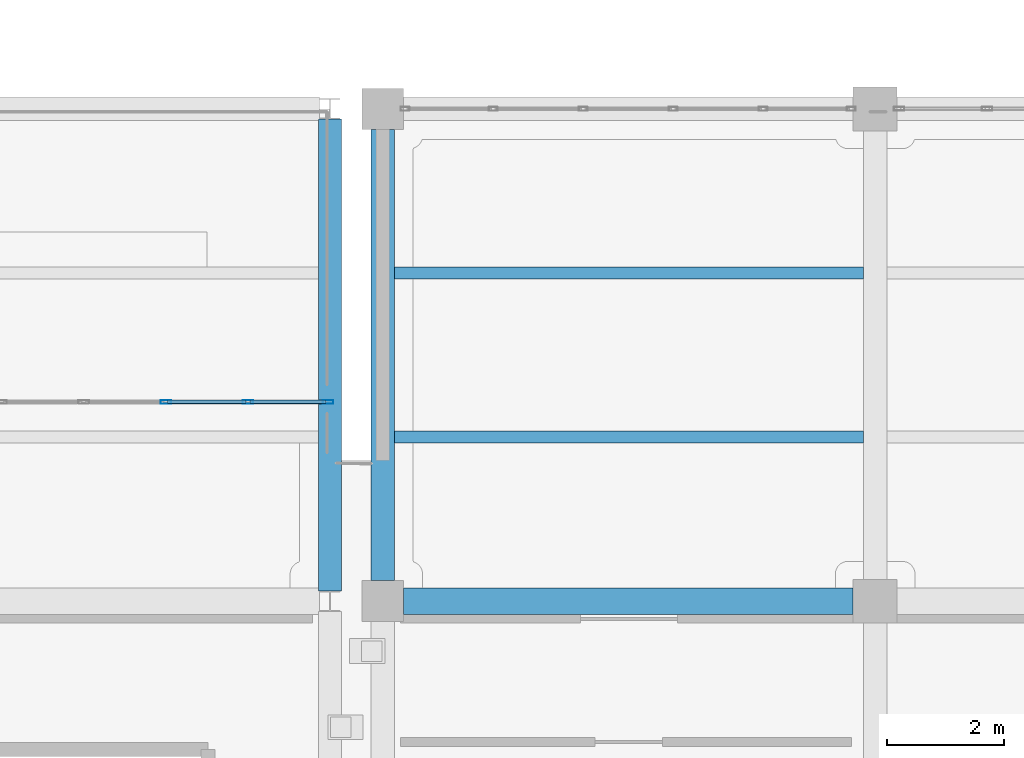
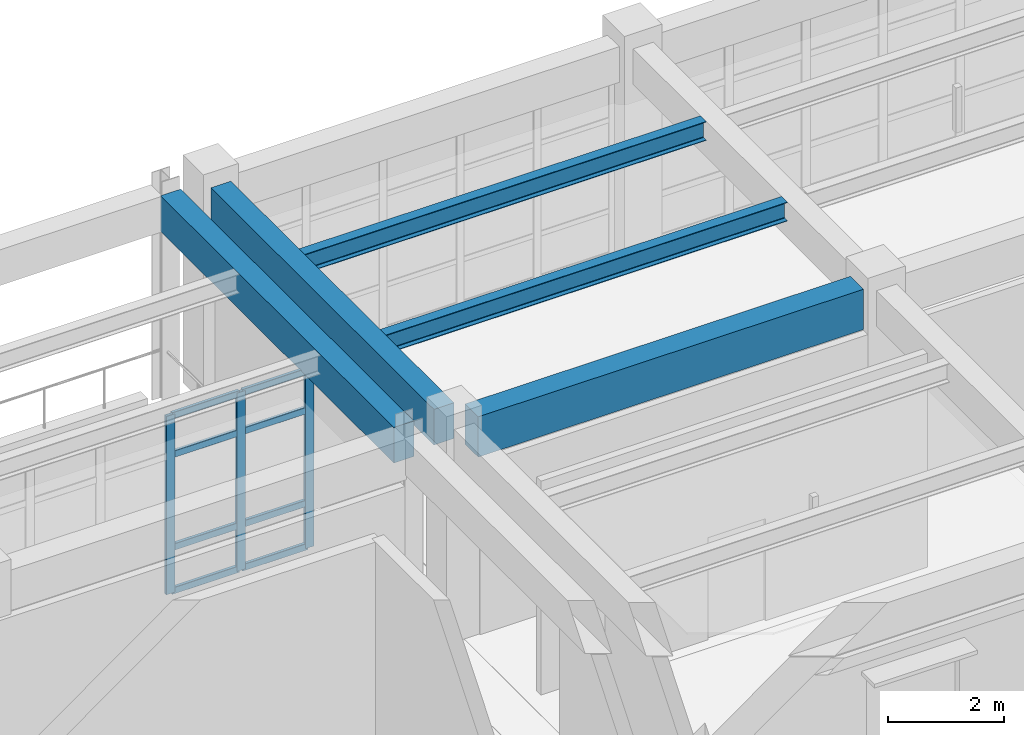
# One storey, part 15 of 98: 11 members, 5 beams, 1 element without a shape of its own.
"""IFC4 building model written with IfcOpenShell, lengths in metres."""

from ifc_helpers import new_model, si_unit, direction, frame, origin, origin_2d, place, context, subcontext, project, spatial, rectangle, hollow_rectangle, i_section, extrude, material, material_profile, profile_set, type_object, element, aggregate, save


model = new_model("IFC4")

# Units and contexts
model_context = context("Model", 3, precision=1e-05, world=origin(), true_north=direction((0.0, 1.0)))
body_context = subcontext(model_context, "Body", "Model", "MODEL_VIEW")
ifc_project = project(units=[si_unit("LENGTHUNIT", "METRE"), si_unit("AREAUNIT", "SQUARE_METRE"), si_unit("VOLUMEUNIT", "CUBIC_METRE"), si_unit("PLANEANGLEUNIT", "RADIAN"), si_unit("MASSUNIT", "GRAM", prefix="KILO")], contexts=[model_context])

# Site, building, storey
site_placement = place(None, origin())
site = spatial("IfcSite", under=ifc_project, at=site_placement, CompositionType="ELEMENT")
building_placement = place(site_placement, origin())
building = spatial("IfcBuilding", under=site, at=building_placement, Name="Canglan Escarpment Cableway Terminal", CompositionType="ELEMENT")
storey_placement = place(building_placement, frame((0.0, 0.0, 9.60009765625)))
storey = spatial("IfcBuildingStorey", under=building, at=storey_placement, Name="L02", CompositionType="ELEMENT", Elevation=9.60009765625)

# Beams
ifc_material_1 = material(Name="Concrete C40", Category="concrete")
ifc_material_profile_1 = material_profile(ifc_material_1, rectangle(XDim=0.39990234375, YDim=0.75, at=origin_2d()), Name="RC 400x750")
ifc_profile_set_1 = profile_set([ifc_material_profile_1], Name="Concrete C40")
beam_type_1 = type_object("IfcBeamType", Name="BM-RC400x750", PredefinedType="BEAM", material=ifc_profile_set_1)
beam_1_placement = place(storey_placement, frame((76.10009765625, 16.574951171875, 4.14501953125), z_axis=(0.0, 1.0, 0.0), x_axis=(-1.0, 0.0, 0.0)))
element("IfcBeam", 1, at=beam_1_placement, inside=storey, type_object=beam_type_1, Name="Primary transverse girder B-03", PredefinedType="BEAM", context=body_context, shape_type="SweptSolid", body=[
    extrude(rectangle(XDim=0.39990234375, YDim=0.75, at=origin_2d()), origin(), (0.0, 0.0, 1.0), 8.050048828125),
])
beam_2_placement = place(storey_placement, frame((77.0, 16.75, 4.10498046875), z_axis=(0.0, 1.0, 0.0), x_axis=(-1.0, 0.0, 0.0)))
element("IfcBeam", 2, at=beam_2_placement, inside=storey, type_object=beam_type_1, Name="Primary transverse girder B-03", PredefinedType="BEAM", context=body_context, shape_type="SweptSolid", body=[
    extrude(rectangle(XDim=0.39990234375, YDim=0.75, at=origin_2d()), origin(), (0.0, 0.0, 1.0), 7.699951171875),
])
ifc_material_profile_2 = material_profile(ifc_material_1, rectangle(XDim=0.449951171875, YDim=0.85009765625, at=origin_2d()), Name="RC 450x850")
ifc_profile_set_2 = profile_set([ifc_material_profile_2], Name="Concrete C40")
beam_type_2 = type_object("IfcBeamType", Name="BM-RC450x850", PredefinedType="BEAM", material=ifc_profile_set_2)
beam_3_placement = place(storey_placement, frame((77.35009765625, 16.39990234375, 4.054931640625), z_axis=(1.0, 0.0, 0.0), x_axis=(0.0, 1.0, 0.0)))
element("IfcBeam", 3, at=beam_3_placement, inside=storey, type_object=beam_type_2, Name="Primary structural girder B-02", PredefinedType="BEAM", context=body_context, shape_type="SweptSolid", body=[
    extrude(rectangle(XDim=0.449951171875, YDim=0.85009765625, at=origin_2d()), origin(), (0.0, 0.0, 1.0), 7.6748046875),
])

# Curtain wall, members
ifc_material_2 = material(Name="Anodized bronze aluminium and Low-E double glazing", Category="aluminium")
curtain_wall_type = type_object("IfcCurtainWallType", Name="CW-BAY-8400x3750", PredefinedType="NOTDEFINED", material=ifc_material_2)
curtain_wall_placement = place(storey_placement, origin())
curtain_wall = element("IfcCurtainWall", 4, at=curtain_wall_placement, inside=storey, type_object=curtain_wall_type, Name="Classical bay-between-piers glazed curtain wall CW-08", PredefinedType="NOTDEFINED")
ifc_material_3 = material(Name="Thermally broken anodized aluminium 6063-T6", Category="aluminium")
ifc_material_profile_3 = material_profile(ifc_material_3, hollow_rectangle(XDim=0.06494140625, YDim=0.179931640625, WallThickness=0.00390625, InnerFilletRadius=0.00390625, OuterFilletRadius=0.008056640625, at=origin_2d()), Name="ALU-MULL 65x180x4")
ifc_profile_set_3 = profile_set([ifc_material_profile_3], Name="Thermally broken anodized aluminium 6063-T6")
member_type_1 = type_object("IfcMemberType", Name="CWM-03", PredefinedType="MULLION", material=ifc_profile_set_3)
member_1_placement = place(storey_placement, frame((76.0673828125, 19.800048828125, 0.0), z_axis=(0.0, 0.0, 1.0), x_axis=(0.0, -1.0, 0.0)))
member_1 = element("IfcMember", 5, at=member_1_placement, type_object=member_type_1, Name="CW-08 mullion 1", PredefinedType="MULLION", context=body_context, shape_type="SweptSolid", body=[
    extrude(hollow_rectangle(XDim=0.06494140625, YDim=0.179931640625, WallThickness=0.00390625, InnerFilletRadius=0.00390625, OuterFilletRadius=0.008056640625, at=origin_2d()), origin(), (0.0, 0.0, 1.0), 3.7548828125),
])
member_2_placement = place(storey_placement, frame((74.699951171875, 19.800048828125, 0.0), z_axis=(0.0, 0.0, 1.0), x_axis=(0.0, -1.0, 0.0)))
member_2 = element("IfcMember", 6, at=member_2_placement, type_object=member_type_1, Name="CW-08 mullion 2", PredefinedType="MULLION", context=body_context, shape_type="SweptSolid", body=[
    extrude(hollow_rectangle(XDim=0.06494140625, YDim=0.179931640625, WallThickness=0.00390625, InnerFilletRadius=0.00390625, OuterFilletRadius=0.008056640625, at=origin_2d()), origin(), (0.0, 0.0, 1.0), 3.7548828125),
])
member_3_placement = place(storey_placement, frame((73.300048828125, 19.800048828125, 0.0), z_axis=(0.0, 0.0, 1.0), x_axis=(0.0, -1.0, 0.0)))
member_3 = element("IfcMember", 7, at=member_3_placement, type_object=member_type_1, Name="CW-08 mullion 3", PredefinedType="MULLION", context=body_context, shape_type="SweptSolid", body=[
    extrude(hollow_rectangle(XDim=0.06494140625, YDim=0.179931640625, WallThickness=0.00390625, InnerFilletRadius=0.00390625, OuterFilletRadius=0.008056640625, at=origin_2d()), origin(), (0.0, 0.0, 1.0), 3.7548828125),
])
ifc_material_profile_4 = material_profile(ifc_material_3, hollow_rectangle(XDim=0.06494140625, YDim=0.139892578125, WallThickness=0.00341796875, InnerFilletRadius=0.00341796875, OuterFilletRadius=0.007080078125, at=origin_2d()), Name="ALU-TRAN 65x140x3.5")
ifc_profile_set_4 = profile_set([ifc_material_profile_4], Name="Thermally broken anodized aluminium 6063-T6")
member_type_2 = type_object("IfcMemberType", Name="CWT-03", PredefinedType="USERDEFINED", material=ifc_profile_set_4)
member_4_placement = place(storey_placement, frame((76.034912109375, 19.800048828125, 0.032470703125), z_axis=(-1.0, 0.0, 0.0), x_axis=(0.0, -1.0, 0.0)))
member_4 = element("IfcMember", 8, at=member_4_placement, type_object=member_type_2, Name="CW-08 transom 1.1", ObjectType="TRANSOM", PredefinedType="USERDEFINED", context=body_context, shape_type="SweptSolid", body=[
    extrude(hollow_rectangle(XDim=0.06494140625, YDim=0.139892578125, WallThickness=0.00341796875, InnerFilletRadius=0.00341796875, OuterFilletRadius=0.007080078125, at=origin_2d()), origin(), (0.0, 0.0, 1.0), 1.302490234375),
])
member_5_placement = place(storey_placement, frame((76.034912109375, 19.800048828125, 0.949951171875), z_axis=(-1.0, 0.0, 0.0), x_axis=(0.0, -1.0, 0.0)))
member_5 = element("IfcMember", 9, at=member_5_placement, type_object=member_type_2, Name="CW-08 transom 1.2", ObjectType="TRANSOM", PredefinedType="USERDEFINED", context=body_context, shape_type="SweptSolid", body=[
    extrude(hollow_rectangle(XDim=0.06494140625, YDim=0.139892578125, WallThickness=0.00341796875, InnerFilletRadius=0.00341796875, OuterFilletRadius=0.007080078125, at=origin_2d()), origin(), (0.0, 0.0, 1.0), 1.302490234375),
])
member_6_placement = place(storey_placement, frame((76.034912109375, 19.800048828125, 2.90478515625), z_axis=(-1.0, 0.0, 0.0), x_axis=(0.0, -1.0, 0.0)))
member_6 = element("IfcMember", 10, at=member_6_placement, type_object=member_type_2, Name="CW-08 transom 1.3", ObjectType="TRANSOM", PredefinedType="USERDEFINED", context=body_context, shape_type="SweptSolid", body=[
    extrude(hollow_rectangle(XDim=0.06494140625, YDim=0.139892578125, WallThickness=0.00341796875, InnerFilletRadius=0.00341796875, OuterFilletRadius=0.007080078125, at=origin_2d()), origin(), (0.0, 0.0, 1.0), 1.302490234375),
])
member_7_placement = place(storey_placement, frame((76.034912109375, 19.800048828125, 3.722412109375), z_axis=(-1.0, 0.0, 0.0), x_axis=(0.0, -1.0, 0.0)))
member_7 = element("IfcMember", 11, at=member_7_placement, type_object=member_type_2, Name="CW-08 transom 1.4", ObjectType="TRANSOM", PredefinedType="USERDEFINED", context=body_context, shape_type="SweptSolid", body=[
    extrude(hollow_rectangle(XDim=0.06494140625, YDim=0.139892578125, WallThickness=0.00341796875, InnerFilletRadius=0.00341796875, OuterFilletRadius=0.007080078125, at=origin_2d()), origin(), (0.0, 0.0, 1.0), 1.302490234375),
])
member_8_placement = place(storey_placement, frame((74.66748046875, 19.800048828125, 0.032470703125), z_axis=(-1.0, 0.0, 0.0), x_axis=(0.0, -1.0, 0.0)))
member_8 = element("IfcMember", 12, at=member_8_placement, type_object=member_type_2, Name="CW-08 transom 2.1", ObjectType="TRANSOM", PredefinedType="USERDEFINED", context=body_context, shape_type="SweptSolid", body=[
    extrude(hollow_rectangle(XDim=0.06494140625, YDim=0.139892578125, WallThickness=0.00341796875, InnerFilletRadius=0.00341796875, OuterFilletRadius=0.007080078125, at=origin_2d()), origin(), (0.0, 0.0, 1.0), 1.3349609375),
])
member_9_placement = place(storey_placement, frame((74.66748046875, 19.800048828125, 0.949951171875), z_axis=(-1.0, 0.0, 0.0), x_axis=(0.0, -1.0, 0.0)))
member_9 = element("IfcMember", 13, at=member_9_placement, type_object=member_type_2, Name="CW-08 transom 2.2", ObjectType="TRANSOM", PredefinedType="USERDEFINED", context=body_context, shape_type="SweptSolid", body=[
    extrude(hollow_rectangle(XDim=0.06494140625, YDim=0.139892578125, WallThickness=0.00341796875, InnerFilletRadius=0.00341796875, OuterFilletRadius=0.007080078125, at=origin_2d()), origin(), (0.0, 0.0, 1.0), 1.3349609375),
])
member_10_placement = place(storey_placement, frame((74.66748046875, 19.800048828125, 2.90478515625), z_axis=(-1.0, 0.0, 0.0), x_axis=(0.0, -1.0, 0.0)))
member_10 = element("IfcMember", 14, at=member_10_placement, type_object=member_type_2, Name="CW-08 transom 2.3", ObjectType="TRANSOM", PredefinedType="USERDEFINED", context=body_context, shape_type="SweptSolid", body=[
    extrude(hollow_rectangle(XDim=0.06494140625, YDim=0.139892578125, WallThickness=0.00341796875, InnerFilletRadius=0.00341796875, OuterFilletRadius=0.007080078125, at=origin_2d()), origin(), (0.0, 0.0, 1.0), 1.3349609375),
])
member_11_placement = place(storey_placement, frame((74.66748046875, 19.800048828125, 3.722412109375), z_axis=(-1.0, 0.0, 0.0), x_axis=(0.0, -1.0, 0.0)))
member_11 = element("IfcMember", 15, at=member_11_placement, type_object=member_type_2, Name="CW-08 transom 2.4", ObjectType="TRANSOM", PredefinedType="USERDEFINED", context=body_context, shape_type="SweptSolid", body=[
    extrude(hollow_rectangle(XDim=0.06494140625, YDim=0.139892578125, WallThickness=0.00341796875, InnerFilletRadius=0.00341796875, OuterFilletRadius=0.007080078125, at=origin_2d()), origin(), (0.0, 0.0, 1.0), 1.3349609375),
])
aggregate(curtain_wall, [member_1, member_2, member_3, member_4, member_5, member_6, member_7, member_8, member_9, member_10, member_11])

# Beams
ifc_material_4 = material(Name="Steel Q355B", Category="steel")
ifc_material_profile_5 = material_profile(ifc_material_4, i_section(OverallWidth=0.199951171875, OverallDepth=0.39990234375, WebThickness=0.008056640625, FlangeThickness=0.012939453125, FilletRadius=0.01611328125, at=origin_2d()), Name="HN 400x200x8x13")
ifc_profile_set_5 = profile_set([ifc_material_profile_5], Name="Steel Q355B")
beam_type_3 = type_object("IfcBeamType", Name="JS-HN400", PredefinedType="JOIST", material=ifc_profile_set_5)
for number, where, z_axis, x_axis, name in (
    (16, (77.199951171875, 19.199951171875, 4.27978515625), (1.0, 0.0, 0.0), (0.0, 1.0, 0.0), "Secondary composite deck joist J-03"),
    (17, (77.199951171875, 22.0, 4.27978515625), (1.0, 0.0, 0.0), (0.0, 1.0, 0.0), "Secondary composite deck joist J-03"),
):
    element("IfcBeam", number, at=place(storey_placement, frame(where, z_axis=z_axis, x_axis=x_axis)), inside=storey, type_object=beam_type_3, Name=name, PredefinedType="JOIST", context=body_context, shape_type="SweptSolid", body=[
        extrude(i_section(OverallWidth=0.199951171875, OverallDepth=0.39990234375, WebThickness=0.008056640625, FlangeThickness=0.012939453125, FilletRadius=0.01611328125, at=origin_2d()), origin(), (0.0, 0.0, 1.0), 8.0),
    ])

save(model, "model.ifc")
